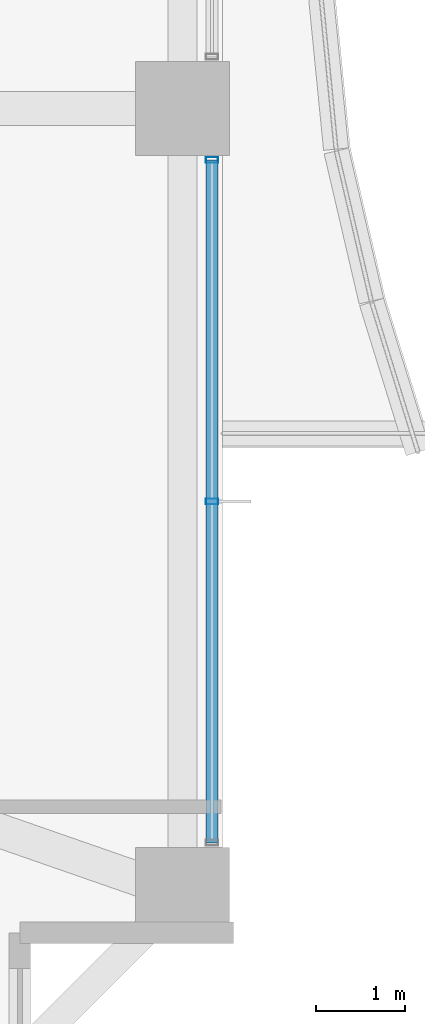
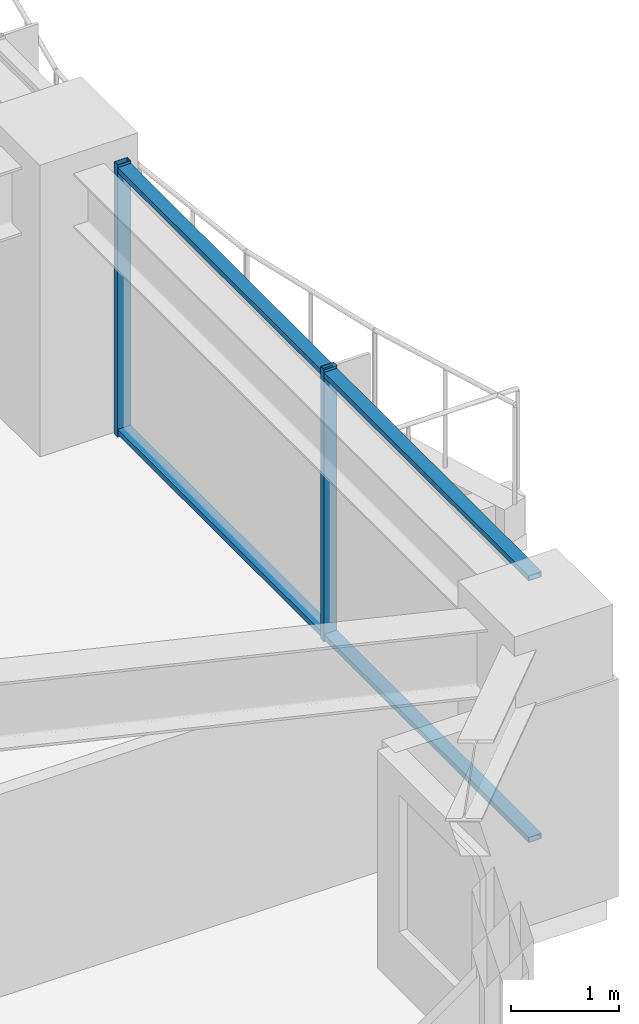
# One storey, part 15 of 36: 4 members, 1 element without a shape of its own.
"""IFC4 building model written with IfcOpenShell, lengths in metres."""

import ifcopenshell
import ifcopenshell.guid

model = None  # the IFC model being written
_history = None  # IfcOwnerHistory: only IFC2X3 demands one
_inside = {}  # id of a spatial element -> (the spatial element, [elements in it])
_under = {}  # id of a project, library or spatial element -> (it, [spatial elements below it])
_declared = {}  # id of a project -> (the project, [libraries it declares])
_typed = {}  # id of a type object -> (the type object, [elements of that type])
_made_of = {}  # id of a material, layer set ... -> (it, [elements and type objects made of it])


def new_model(schema):
    """Start an empty IFC model of exactly this schema.

    Asked for "IFC4X3", IfcOpenShell would pick the latest addendum, in which some entities
    have other attributes; the version numbers below select the first issue.
    IFC2X3 requires an IfcOwnerHistory on every rooted entity: one is made here for all.
    """
    global model, _history
    if schema == "IFC4X3":
        model = ifcopenshell.file(schema_version=(4, 3, 0, 0))
    else:
        model = ifcopenshell.file(schema=schema)
    _inside.clear()
    _under.clear()
    _declared.clear()
    _typed.clear()
    _made_of.clear()
    _history = None
    if model.schema == "IFC2X3":
        org = make("IfcOrganization", Name="unknown")
        user = make(
            "IfcPersonAndOrganization",
            ThePerson=make("IfcPerson", FamilyName="unknown"),
            TheOrganization=org,
        )
        app = make(
            "IfcApplication",
            ApplicationDeveloper=org,
            Version="unknown",
            ApplicationFullName="unknown",
            ApplicationIdentifier="unknown",
        )
        _history = make(
            "IfcOwnerHistory",
            OwningUser=user,
            OwningApplication=app,
            ChangeAction="ADDED",
            CreationDate=0,
        )
    return model


def make(cls, **values):
    """One entity of the class cls with the attributes given. An attribute that is None is left unset."""
    return model.create_entity(
        cls, **{name: value for name, value in values.items() if value is not None}
    )


def rooted(cls, **values):
    """An entity with a GlobalId (a new one), such as an element, a storey or a relation."""
    return make(cls, GlobalId=ifcopenshell.guid.new(), OwnerHistory=_history, **values)


def si_unit(unit_type, name, prefix=None):
    """IfcSIUnit, for example si_unit("LENGTHUNIT", "METRE", prefix="MILLI")."""
    return make("IfcSIUnit", UnitType=unit_type, Prefix=prefix, Name=name)


def assignment(units):
    """IfcUnitAssignment: the units of a project."""
    return None if units is None else make("IfcUnitAssignment", Units=units)


def point(xyz):
    """IfcCartesianPoint."""
    return None if xyz is None else make("IfcCartesianPoint", Coordinates=xyz)


def direction(xyz):
    """IfcDirection."""
    return None if xyz is None else make("IfcDirection", DirectionRatios=xyz)


def frame(location, z_axis=None, x_axis=None):
    """IfcAxis2Placement3D, a coordinate frame: its origin and axes. An axis left out is left unset."""
    return make(
        "IfcAxis2Placement3D",
        Location=point(location),
        Axis=direction(z_axis),
        RefDirection=direction(x_axis),
    )


def frame_2d(location, x_axis=None):
    """IfcAxis2Placement2D, a coordinate frame in the plane: its origin and x axis."""
    return make(
        "IfcAxis2Placement2D", Location=point(location), RefDirection=direction(x_axis)
    )


def origin():
    """The frame at (0, 0, 0) with its axes left unset."""
    return frame((0.0, 0.0, 0.0))


def origin_2d():
    """The frame at (0, 0) in the plane with its x axis left unset."""
    return frame_2d((0.0, 0.0))


def place(relative_to, where):
    """IfcLocalPlacement: puts the frame where relative to a parent placement (None: the world)."""
    return make(
        "IfcLocalPlacement", PlacementRelTo=relative_to, RelativePlacement=where
    )


def context(
    kind, dimensions, precision=None, world=None, true_north=None, identifier=None
):
    """IfcGeometricRepresentationContext, for example the 3D "Model" context."""
    return make(
        "IfcGeometricRepresentationContext",
        ContextIdentifier=identifier,
        ContextType=kind,
        CoordinateSpaceDimension=dimensions,
        Precision=precision,
        WorldCoordinateSystem=world,
        TrueNorth=true_north,
    )


def subcontext(parent, identifier, kind, view, scale=None):
    """IfcGeometricRepresentationSubContext, for example "Body" below "Model"."""
    return make(
        "IfcGeometricRepresentationSubContext",
        ContextIdentifier=identifier,
        ContextType=kind,
        ParentContext=parent,
        TargetScale=scale,
        TargetView=view,
    )


def project(units=None, contexts=None):
    """IfcProject with its units and contexts."""
    return rooted(
        "IfcProject",
        Name="project",
        RepresentationContexts=contexts,
        UnitsInContext=assignment(units),
    )


def spatial(cls, under=None, at=None, **own):
    """A site, building, storey or space (cls), placed at a placement, below another one or the project."""
    s = rooted(cls, ObjectPlacement=at, **own)
    if under is not None:
        _under.setdefault(under.id(), (under, []))[1].append(s)
    return s


def profile(cls, at=None, kind="AREA", **sizes):
    """A parametric profile (cls). Its sizes go by their IFC names, for example OverallWidth=200.0."""
    return make(cls, ProfileType=kind, Position=at, **sizes)


def hollow_rectangle(**sizes):
    """IfcRectangleHollowProfileDef."""
    return profile("IfcRectangleHollowProfileDef", **sizes)


def extrude(swept, where, along, depth):
    """IfcExtrudedAreaSolid: the profile swept, set in the frame where, extruded along a direction by depth."""
    return make(
        "IfcExtrudedAreaSolid",
        SweptArea=swept,
        Position=where,
        ExtrudedDirection=direction(along),
        Depth=depth,
    )


def shape(context_of_items, identifier, shape_type, items):
    """IfcShapeRepresentation: the items that make up one representation, for example the "Body"."""
    return make(
        "IfcShapeRepresentation",
        ContextOfItems=context_of_items,
        RepresentationIdentifier=identifier,
        RepresentationType=shape_type,
        Items=items,
    )


def material(Name=None, Category=None):
    """IfcMaterial."""
    return make("IfcMaterial", Name=Name, Category=Category)


def material_profile(
    of_material, cross_section, Name=None, Category=None, Priority=None
):
    """IfcMaterialProfile: a cross section and its material."""
    return make(
        "IfcMaterialProfile",
        Name=Name,
        Material=of_material,
        Profile=cross_section,
        Priority=Priority,
        Category=Category,
    )


def profile_set(profiles, Name=None, composite=None):
    """IfcMaterialProfileSet."""
    return make(
        "IfcMaterialProfileSet",
        Name=Name,
        MaterialProfiles=profiles,
        CompositeProfile=composite,
    )


def made_of(thing, what):
    """Note that an element or type object is made of a material, layer set ...; save() writes the relation."""
    if what is not None:
        _made_of.setdefault(what.id(), (what, []))[1].append(thing)
    return thing


def type_object(cls, material=None, **own):
    """A type object (cls), such as IfcWallType, which elements share."""
    return made_of(rooted(cls, **own), material)


def element(
    cls,
    number,
    at=None,
    inside=None,
    cuts=None,
    type_object=None,
    material=None,
    context=None,
    identifier="Body",
    shape_type=None,
    held_by="IfcProductDefinitionShape",
    body=None,
    shapes=None,
    **own,
):
    """One element of the class cls, such as IfcWall. Its Tag is "e" and its number.

    at: its placement. inside: the storey or other place that contains it. cuts: it is an
    opening in that element (IfcRelVoidsElement). A single representation is given by context,
    identifier, shape_type and body (its items); several are given by shapes. held_by: the class
    of the entity that holds the representations. save() writes the other relations.
    """
    e = rooted(cls, Tag="e%d" % number, ObjectPlacement=at, **own)
    if body is not None:
        shapes = [shape(context, identifier, shape_type, body)]
    if shapes is not None:
        e.Representation = make(held_by, Representations=shapes)
    if inside is not None:
        _inside.setdefault(inside.id(), (inside, []))[1].append(e)
    if cuts is not None:
        rooted(
            "IfcRelVoidsElement", RelatingBuildingElement=cuts, RelatedOpeningElement=e
        )
    if type_object is not None:
        _typed.setdefault(type_object.id(), (type_object, []))[1].append(e)
    return made_of(e, material)


def aggregate(whole, parts):
    """IfcRelAggregates: a whole, such as a stair, and the parts it consists of."""
    return rooted("IfcRelAggregates", RelatingObject=whole, RelatedObjects=parts)


def save(model, path):
    """Write the relations noted so far, then the file.

    IfcRelAggregates (storeys below a building ...), IfcRelContainedInSpatialStructure (elements
    in a storey), IfcRelDefinesByType, IfcRelAssociatesMaterial and IfcRelDeclares: one each for
    every whole, place, type object, material and project.
    """
    for whole, parts in _under.values():
        aggregate(whole, parts)
    for where, things in _inside.values():
        rooted(
            "IfcRelContainedInSpatialStructure",
            RelatedElements=things,
            RelatingStructure=where,
        )
    for kind, things in _typed.values():
        rooted("IfcRelDefinesByType", RelatedObjects=things, RelatingType=kind)
    for what, things in _made_of.values():
        rooted("IfcRelAssociatesMaterial", RelatedObjects=things, RelatingMaterial=what)
    for by, libraries in _declared.values():
        rooted("IfcRelDeclares", RelatingContext=by, RelatedDefinitions=libraries)
    model.write(path)


model = new_model("IFC4")

# Units and contexts
model_context = context("Model", 3, precision=1e-05, world=origin(), true_north=direction((0.0, 1.0)))
body_context = subcontext(model_context, "Body", "Model", "MODEL_VIEW")
ifc_project = project(units=[si_unit("LENGTHUNIT", "METRE"), si_unit("AREAUNIT", "SQUARE_METRE"), si_unit("VOLUMEUNIT", "CUBIC_METRE"), si_unit("PLANEANGLEUNIT", "RADIAN"), si_unit("MASSUNIT", "GRAM", prefix="KILO")], contexts=[model_context])

# Site, building, storey
site_placement = place(None, origin())
site = spatial("IfcSite", under=ifc_project, at=site_placement, CompositionType="ELEMENT")
building_placement = place(site_placement, origin())
building = spatial("IfcBuilding", under=site, at=building_placement, Name="Kolvaren Belvedere", CompositionType="ELEMENT")
storey_placement = place(building_placement, frame((0.0, 0.0, 88.699951171875)))
storey = spatial("IfcBuildingStorey", under=building, at=storey_placement, Name="L25", CompositionType="ELEMENT", Elevation=88.699951171875)

# Curtain wall, members
ifc_material_1 = material(Name="Anodised pale-metal aluminium AA 6063-T6", Category="aluminium")
curtain_wall_type = type_object("IfcCurtainWallType", Name="CW-Z2-MID", PredefinedType="NOTDEFINED", material=ifc_material_1)
curtain_wall_placement = place(storey_placement, origin())
curtain_wall = element("IfcCurtainWall", 1, at=curtain_wall_placement, inside=storey, type_object=curtain_wall_type, Name="L25 Unitised Curtain Wall FCW-L25-E2-B2", PredefinedType="NOTDEFINED")
ifc_material_2 = material(Name="Anodised pale-metal aluminium AA 6063-T6", Category="aluminium")
ifc_material_profile_1 = material_profile(ifc_material_2, hollow_rectangle(XDim=0.06494140625, YDim=0.139892578125, WallThickness=0.00390625, at=origin_2d()), Name="ALU-MUL-140X65")
ifc_profile_set_1 = profile_set([ifc_material_profile_1], Name="Anodised pale-metal aluminium AA 6063-T6")
member_type_1 = type_object("IfcMemberType", Name="CW-MUL-140", PredefinedType="MULLION", material=ifc_profile_set_1)
member_1_placement = place(storey_placement, frame((20.280029296875, -5.177490234375, 0.0), z_axis=(0.0, 0.0, 1.0), x_axis=(0.0, 1.0, 0.0)))
member_1 = element("IfcMember", 2, at=member_1_placement, type_object=member_type_1, Name="FCW-L25-E2-B2 Unitised Mullion 1", PredefinedType="MULLION", context=body_context, shape_type="SweptSolid", body=[
    extrude(hollow_rectangle(XDim=0.06494140625, YDim=0.139892578125, WallThickness=0.00390625, at=origin_2d()), origin(), (0.0, 0.0, 1.0), 3.080078125),
])
member_2_placement = place(storey_placement, frame((20.280029296875, -9.0, 0.0), z_axis=(0.0, 0.0, 1.0), x_axis=(0.0, 1.0, 0.0)))
member_2 = element("IfcMember", 3, at=member_2_placement, type_object=member_type_1, Name="FCW-L25-E2-B2 Unitised Mullion 2", PredefinedType="MULLION", context=body_context, shape_type="SweptSolid", body=[
    extrude(hollow_rectangle(XDim=0.06494140625, YDim=0.139892578125, WallThickness=0.00390625, at=origin_2d()), origin(), (0.0, 0.0, 1.0), 3.080078125),
])
ifc_material_3 = material(Name="Anodised pale-metal aluminium AA 6063-T6", Category="aluminium")
ifc_material_profile_2 = material_profile(ifc_material_3, hollow_rectangle(XDim=0.06005859375, YDim=0.139892578125, WallThickness=0.00390625, at=origin_2d()), Name="ALU-TRN-140X60")
ifc_profile_set_2 = profile_set([ifc_material_profile_2], Name="Anodised pale-metal aluminium AA 6063-T6")
member_type_2 = type_object("IfcMemberType", Name="CW-TRN-140", PredefinedType="USERDEFINED", material=ifc_profile_set_2)
member_3_placement = place(storey_placement, frame((20.280029296875, -5.177490234375, 0.06005859375), z_axis=(0.0, -1.0, 0.0), x_axis=(0.0, 0.0, 1.0)))
member_3 = element("IfcMember", 4, at=member_3_placement, type_object=member_type_2, Name="FCW-L25-E2-B2 Sill Transom", ObjectType="TRANSOM", PredefinedType="USERDEFINED", context=body_context, shape_type="SweptSolid", body=[
    extrude(hollow_rectangle(XDim=0.06005859375, YDim=0.139892578125, WallThickness=0.00390625, at=origin_2d()), origin(), (0.0, 0.0, 1.0), 7.64501953125),
])
member_4_placement = place(storey_placement, frame((20.280029296875, -5.177490234375, 3.02001953125), z_axis=(0.0, -1.0, 0.0), x_axis=(0.0, 0.0, 1.0)))
member_4 = element("IfcMember", 5, at=member_4_placement, type_object=member_type_2, Name="FCW-L25-E2-B2 Head Transom", ObjectType="TRANSOM", PredefinedType="USERDEFINED", context=body_context, shape_type="SweptSolid", body=[
    extrude(hollow_rectangle(XDim=0.06005859375, YDim=0.139892578125, WallThickness=0.00390625, at=origin_2d()), origin(), (0.0, 0.0, 1.0), 7.64501953125),
])
aggregate(curtain_wall, [member_1, member_2, member_3, member_4])

save(model, "model.ifc")
